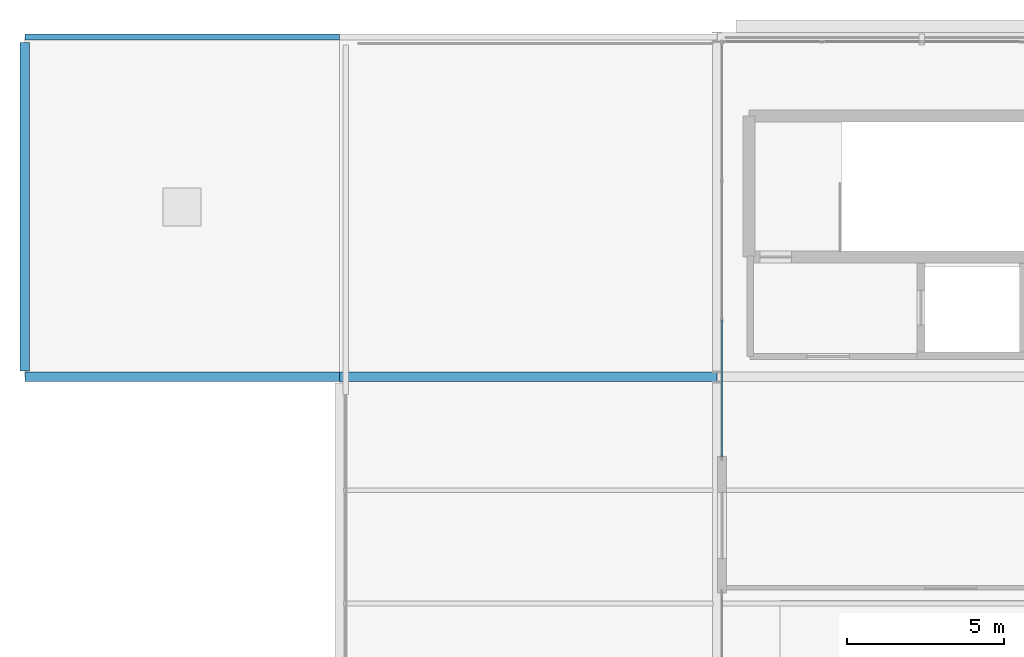
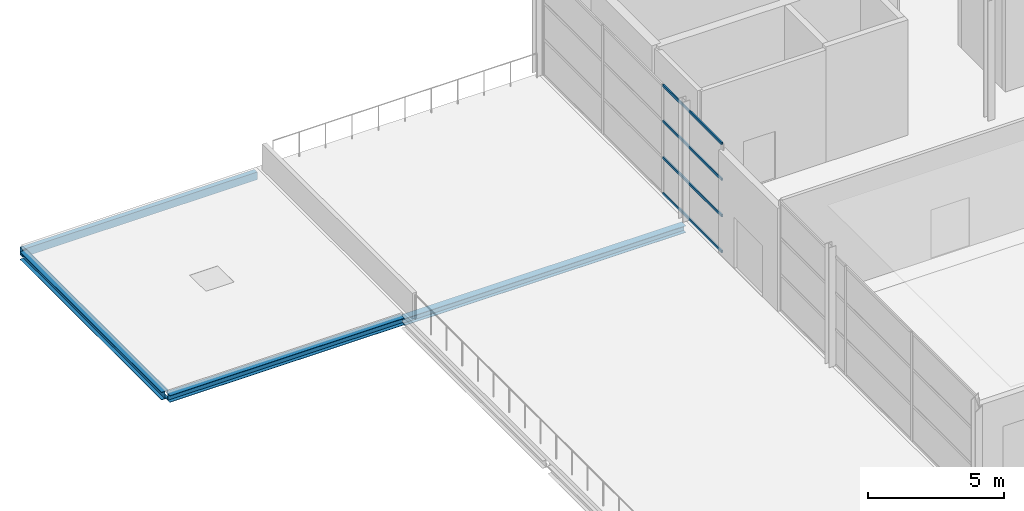
# One storey, part 17 of 34: 4 beams, 4 members, 1 element without a shape of its own.
"""IFC4 building model written with IfcOpenShell, lengths in metres."""

from ifc_helpers import new_model, si_unit, direction, frame, origin, origin_2d, place, context, subcontext, project, spatial, hollow_rectangle, i_section, extrude, material, layer, layer_set, material_profile, profile_set, type_object, element, aggregate, save


model = new_model("IFC4")

# Units and contexts
model_context = context("Model", 3, precision=1e-05, world=origin(), true_north=direction((0.0, 1.0)))
body_context = subcontext(model_context, "Body", "Model", "MODEL_VIEW")
ifc_project = project(units=[si_unit("LENGTHUNIT", "METRE"), si_unit("AREAUNIT", "SQUARE_METRE"), si_unit("VOLUMEUNIT", "CUBIC_METRE"), si_unit("PLANEANGLEUNIT", "RADIAN"), si_unit("MASSUNIT", "GRAM", prefix="KILO")], contexts=[model_context])

# Site, building, storey
site_placement = place(None, origin())
site = spatial("IfcSite", under=ifc_project, at=site_placement, CompositionType="ELEMENT")
building_placement = place(site_placement, origin())
building = spatial("IfcBuilding", under=site, at=building_placement, Name="Tamarisk Ironworks Central Station", CompositionType="ELEMENT")
storey_placement = place(building_placement, frame((0.0, 0.0, 25.199951171875)))
storey = spatial("IfcBuildingStorey", under=building, at=storey_placement, Name="L05", CompositionType="ELEMENT", Elevation=25.199951171875)

# Beams
ifc_material_1 = material(Name="Structural steel S355J2", Category="steel")
ifc_material_profile_1 = material_profile(ifc_material_1, i_section(OverallWidth=0.300048828125, OverallDepth=0.35009765625, WebThickness=0.010009765625, FlangeThickness=0.017578125, at=origin_2d()), Name="HEA 360")
ifc_profile_set_1 = profile_set([ifc_material_profile_1], Name="Structural steel S355J2")
beam_type_1 = type_object("IfcBeamType", Name="BM-G08", PredefinedType="BEAM", material=ifc_profile_set_1)
beam_1_placement = place(storey_placement, frame((118.0, 111.7880859375, -0.3349609375), z_axis=(0.0, 1.0, 0.0), x_axis=(-1.0, 0.0, 0.0)))
element("IfcBeam", 1, at=beam_1_placement, inside=storey, type_object=beam_type_1, Name="L05 primary girder Y-0770", PredefinedType="BEAM", context=body_context, shape_type="SweptSolid", body=[
    extrude(i_section(OverallWidth=0.300048828125, OverallDepth=0.35009765625, WebThickness=0.010009765625, FlangeThickness=0.017578125, at=origin_2d()), origin(), (0.0, 0.0, 1.0), 10.44384765625),
])
ifc_material_profile_2 = material_profile(ifc_material_1, i_section(OverallWidth=0.300048828125, OverallDepth=0.31005859375, WebThickness=0.009033203125, FlangeThickness=0.015380859375, at=origin_2d()), Name="HEA 320")
ifc_profile_set_2 = profile_set([ifc_material_profile_2], Name="Structural steel S355J2")
beam_type_2 = type_object("IfcBeamType", Name="BM-G09", PredefinedType="BEAM", material=ifc_profile_set_2)
beam_2_placement = place(storey_placement, frame((118.00390625, 111.60009765625, -0.31494140625), z_axis=(1.0, 0.0, 0.0), x_axis=(0.0, 1.0, 0.0)))
element("IfcBeam", 2, at=beam_2_placement, inside=storey, type_object=beam_type_2, Name="L05 primary girder X-0760", PredefinedType="BEAM", context=body_context, shape_type="SweptSolid", body=[
    extrude(i_section(OverallWidth=0.300048828125, OverallDepth=0.31005859375, WebThickness=0.009033203125, FlangeThickness=0.015380859375, at=origin_2d()), origin(), (0.0, 0.0, 1.0), 9.9921875),
])
beam_3_placement = place(storey_placement, frame((128.00390625, 111.60009765625, -0.35498046875), z_axis=(1.0, 0.0, 0.0), x_axis=(0.0, 1.0, 0.0)))
element("IfcBeam", 3, at=beam_3_placement, inside=storey, type_object=beam_type_2, Name="L05 primary girder X-0761", PredefinedType="BEAM", context=body_context, shape_type="SweptSolid", body=[
    extrude(i_section(OverallWidth=0.300048828125, OverallDepth=0.31005859375, WebThickness=0.009033203125, FlangeThickness=0.015380859375, at=origin_2d()), origin(), (0.0, 0.0, 1.0), 11.9921875),
])
ifc_material_profile_3 = material_profile(ifc_material_1, hollow_rectangle(XDim=0.199951171875, YDim=0.35009765625, WallThickness=0.012451171875, at=origin_2d()), Name="RHS 350x200x12.5")
ifc_profile_set_3 = profile_set([ifc_material_profile_3], Name="Structural steel S355J2")
beam_type_3 = type_object("IfcBeamType", Name="BM-SP01", PredefinedType="SPANDREL", material=ifc_profile_set_3)
beam_4_placement = place(storey_placement, frame((118.00390625, 122.39990234375, -0.3349609375), z_axis=(1.0, 0.0, 0.0), x_axis=(0.0, 1.0, 0.0)))
element("IfcBeam", 4, at=beam_4_placement, inside=storey, type_object=beam_type_3, Name="L05 primary girder X-0765", PredefinedType="SPANDREL", context=body_context, shape_type="SweptSolid", body=[
    extrude(hollow_rectangle(XDim=0.199951171875, YDim=0.35009765625, WallThickness=0.012451171875, at=origin_2d()), origin(), (0.0, 0.0, 1.0), 9.9921875),
])

# Curtain wall, members
ifc_material_2 = material(Name="Anodized aluminium alloy 6063-T6", Category="aluminium")
ifc_layer = layer(ifc_material_2, 0.179931640625)
ifc_layer_set = layer_set([ifc_layer], Name="Anodized aluminium alloy 6063-T6")
curtain_wall_type = type_object("IfcCurtainWallType", Name="CW-20", PredefinedType="USERDEFINED", material=ifc_layer_set)
curtain_wall_placement = place(storey_placement, origin())
curtain_wall = element("IfcCurtainWall", 5, at=curtain_wall_placement, inside=storey, type_object=curtain_wall_type, Name="Crown terrace overlook curtain wall L05-159", ObjectType="GLAZED CURTAIN WALL", PredefinedType="USERDEFINED")
ifc_material_profile_4 = material_profile(ifc_material_2, hollow_rectangle(XDim=0.06005859375, YDim=0.114990234375, WallThickness=0.00341796875, at=origin_2d()), Name="ALUM 115x60")
ifc_profile_set_4 = profile_set([ifc_material_profile_4], Name="Anodized aluminium alloy 6063-T6")
member_type = type_object("IfcMemberType", Name="CWT-03", PredefinedType="USERDEFINED", material=ifc_profile_set_4)
member_1_placement = place(storey_placement, frame((140.14990234375, 109.055908203125, 0.030029296875), z_axis=(0.0, 1.0, 0.0), x_axis=(-1.0, 0.0, 0.0)))
member_1 = element("IfcMember", 6, at=member_1_placement, type_object=member_type, Name="CW20 transom 1.1", ObjectType="TRANSOM", PredefinedType="USERDEFINED", context=body_context, shape_type="SweptSolid", body=[
    extrude(hollow_rectangle(XDim=0.06005859375, YDim=0.114990234375, WallThickness=0.00341796875, at=origin_2d()), origin(), (0.0, 0.0, 1.0), 4.33544921875),
])
member_2_placement = place(storey_placement, frame((140.14990234375, 109.055908203125, 1.64013671875), z_axis=(0.0, 1.0, 0.0), x_axis=(-1.0, 0.0, 0.0)))
member_2 = element("IfcMember", 7, at=member_2_placement, type_object=member_type, Name="CW20 transom 1.2", ObjectType="TRANSOM", PredefinedType="USERDEFINED", context=body_context, shape_type="SweptSolid", body=[
    extrude(hollow_rectangle(XDim=0.06005859375, YDim=0.114990234375, WallThickness=0.00341796875, at=origin_2d()), origin(), (0.0, 0.0, 1.0), 4.33544921875),
])
member_3_placement = place(storey_placement, frame((140.14990234375, 109.055908203125, 3.280029296875), z_axis=(0.0, 1.0, 0.0), x_axis=(-1.0, 0.0, 0.0)))
member_3 = element("IfcMember", 8, at=member_3_placement, type_object=member_type, Name="CW20 transom 1.3", ObjectType="TRANSOM", PredefinedType="USERDEFINED", context=body_context, shape_type="SweptSolid", body=[
    extrude(hollow_rectangle(XDim=0.06005859375, YDim=0.114990234375, WallThickness=0.00341796875, at=origin_2d()), origin(), (0.0, 0.0, 1.0), 4.33544921875),
])
member_4_placement = place(storey_placement, frame((140.14990234375, 109.055908203125, 4.89013671875), z_axis=(0.0, 1.0, 0.0), x_axis=(-1.0, 0.0, 0.0)))
member_4 = element("IfcMember", 9, at=member_4_placement, type_object=member_type, Name="CW20 transom 1.4", ObjectType="TRANSOM", PredefinedType="USERDEFINED", context=body_context, shape_type="SweptSolid", body=[
    extrude(hollow_rectangle(XDim=0.06005859375, YDim=0.114990234375, WallThickness=0.00341796875, at=origin_2d()), origin(), (0.0, 0.0, 1.0), 4.33544921875),
])
aggregate(curtain_wall, [member_1, member_2, member_3, member_4])

save(model, "model.ifc")
